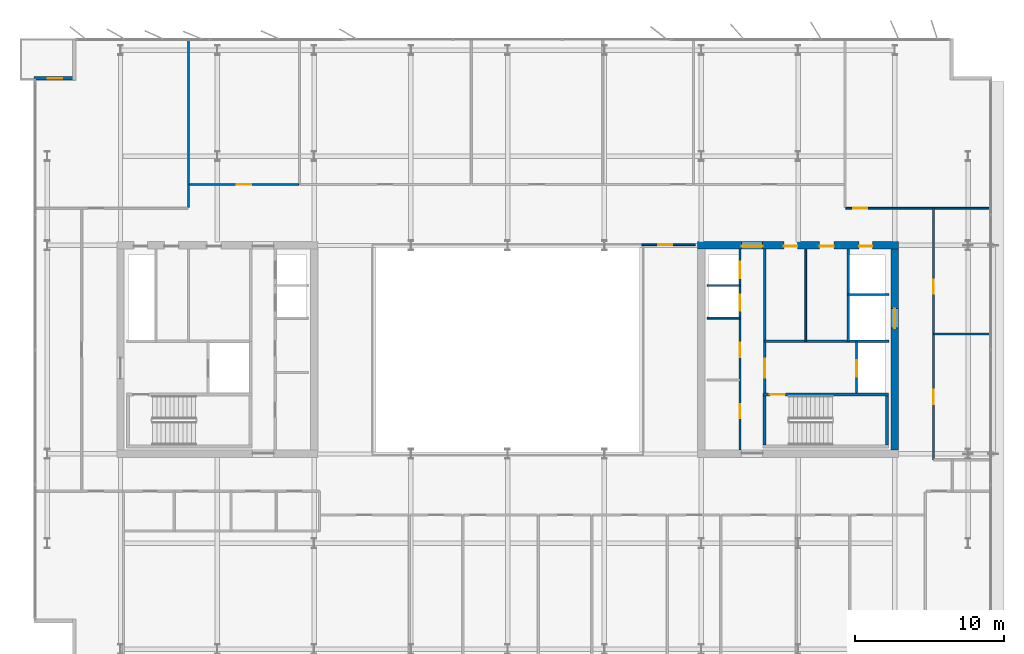
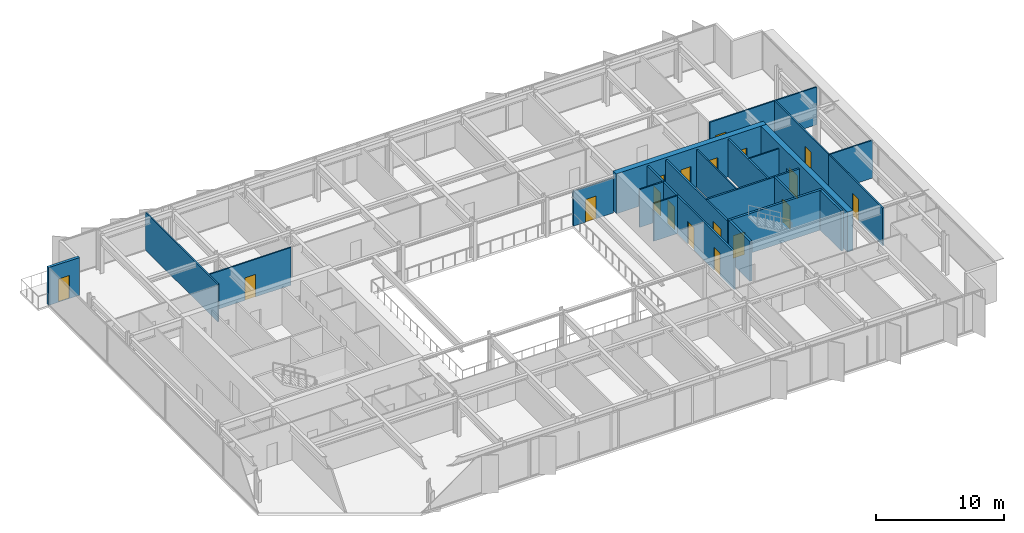
# One storey, part 15 of 20: 22 walls, 18 doors, 18 openings.
"""IFC4 building model written with IfcOpenShell, lengths in metres."""

from ifc_helpers import new_model, si_unit, direction, frame, frame_2d, origin, place, context, subcontext, project, spatial, rectangle, extrude, material, layer, layer_set, type_object, element, fill, save


model = new_model("IFC4")

# Units and contexts
model_context = context("Model", 3, precision=1e-05, world=origin(), true_north=direction((0.0, 1.0)))
body_context = subcontext(model_context, "Body", "Model", "MODEL_VIEW")
ifc_project = project(units=[si_unit("LENGTHUNIT", "METRE"), si_unit("AREAUNIT", "SQUARE_METRE"), si_unit("VOLUMEUNIT", "CUBIC_METRE"), si_unit("PLANEANGLEUNIT", "RADIAN"), si_unit("MASSUNIT", "GRAM", prefix="KILO")], contexts=[model_context])

# Site, building, storey
site_placement = place(None, origin())
site = spatial("IfcSite", under=ifc_project, at=site_placement, CompositionType="ELEMENT")
building_placement = place(site_placement, origin())
building = spatial("IfcBuilding", under=site, at=building_placement, Name="Putna Gate Headquarters", CompositionType="ELEMENT")
storey_placement = place(building_placement, frame((0.0, 0.0, 270.800048828125)))
storey = spatial("IfcBuildingStorey", under=building, at=storey_placement, Name="L68", CompositionType="ELEMENT", Elevation=270.800048828125)

# Wall, openings, doors
ifc_material_1 = material(Name="Concrete C50/60", Category="concrete")
ifc_layer_1 = layer(ifc_material_1, 0.5)
ifc_layer_set_1 = layer_set([ifc_layer_1], Name="Concrete C50/60")
wall_type_1 = type_object("IfcWallType", Name="WALL-CORE-500", PredefinedType="SHEAR", material=ifc_layer_set_1)
wall_1_placement = place(storey_placement, frame((51.75, 33.0, 0.0), z_axis=(0.0, 0.0, 1.0), x_axis=(1.0, 0.0, 0.0)))
wall_1 = element("IfcWall", 1, at=wall_1_placement, inside=storey, type_object=wall_type_1, Name="L68 EC Split Core Shear Wall N", PredefinedType="SHEAR", context=body_context, shape_type="SweptSolid", body=[
    extrude(rectangle(XDim=13.5, YDim=0.5, at=frame_2d((6.75, 0.0))), origin(), (0.0, 0.0, 1.0), 3.800048828125),
])
opening_1_placement = place(wall_1_placement, frame((2.969970703125, 0.0, 0.0)))
opening_1 = element("IfcOpeningElement", 2, at=opening_1_placement, cuts=wall_1, Name="Opening FDD-140", PredefinedType="OPENING", context=body_context, shape_type="SweptSolid", body=[
    extrude(rectangle(XDim=1.39990234375, YDim=2.199951171875, at=frame_2d((0.699951171875, 1.10009765625))), frame((0.0, 0.260009765625, 0.0), z_axis=(0.0, -1.0, 0.0), x_axis=(1.0, 0.0, 0.0)), (0.0, 0.0, 1.0), 0.52001953125),
])
opening_2_placement = place(wall_1_placement, frame((10.85009765625, 0.0, 0.0)))
opening_2 = element("IfcOpeningElement", 3, at=opening_2_placement, cuts=wall_1, Name="Opening RD-90", PredefinedType="OPENING", context=body_context, shape_type="SweptSolid", body=[
    extrude(rectangle(XDim=0.89990234375, YDim=2.14990234375, at=frame_2d((0.449951171875, 1.074951171875))), frame((0.0, 0.260009765625, 0.0), z_axis=(0.0, -1.0, 0.0), x_axis=(1.0, 0.0, 0.0)), (0.0, 0.0, 1.0), 0.52001953125),
])
opening_3_placement = place(wall_1_placement, frame((5.800048828125, 0.0, 0.0)))
opening_3 = element("IfcOpeningElement", 4, at=opening_3_placement, cuts=wall_1, Name="Opening IDS-90", PredefinedType="OPENING", context=body_context, shape_type="SweptSolid", body=[
    extrude(rectangle(XDim=0.89990234375, YDim=2.14990234375, at=frame_2d((0.449951171875, 1.074951171875))), frame((0.0, 0.260009765625, 0.0), z_axis=(0.0, -1.0, 0.0), x_axis=(1.0, 0.0, 0.0)), (0.0, 0.0, 1.0), 0.52001953125),
])
opening_4_placement = place(wall_1_placement, frame((8.199951171875, 0.0, 0.0)))
opening_4 = element("IfcOpeningElement", 5, at=opening_4_placement, cuts=wall_1, Name="Opening IDS-95", PredefinedType="OPENING", context=body_context, shape_type="SweptSolid", body=[
    extrude(rectangle(XDim=0.949951171875, YDim=2.14990234375, at=frame_2d((0.47509765625, 1.074951171875))), frame((0.0, 0.260009765625, 0.0), z_axis=(0.0, -1.0, 0.0), x_axis=(1.0, 0.0, 0.0)), (0.0, 0.0, 1.0), 0.52001953125),
])
ifc_material_2 = material(Name="Double steel fire door", Category="steel")
door_type_1 = type_object("IfcDoorType", Name="DOOR-FIRE-DBL-1400", OperationType="DOUBLE_DOOR_SINGLE_SWING", PredefinedType="DOOR", material=ifc_material_2)
door_1_placement = place(opening_1_placement, origin())
door_1 = element("IfcDoor", 6, at=door_1_placement, inside=storey, type_object=door_type_1, Name="L68 East Lift Lobby North Door", OperationType="DOUBLE_DOOR_SINGLE_SWING", OverallHeight=2.199951171875, OverallWidth=1.39990234375, PredefinedType="DOOR", context=body_context, shape_type="SweptSolid", body=[
    extrude(rectangle(XDim=1.39990234375, YDim=2.199951171875, at=frame_2d((0.699951171875, 1.10009765625))), frame((0.0, -0.02490234375, 0.0), z_axis=(0.0, -1.0, 0.0), x_axis=(1.0, 0.0, 0.0)), (0.0, 0.0, 1.0), 0.050048828125),
])
fill(opening_1, door_1)
ifc_material_3 = material(Name="Fire-rated utility door")
door_type_2 = type_object("IfcDoorType", Name="DOOR-INT-900", OperationType="NOTDEFINED", PredefinedType="DOOR", material=ifc_material_3)
door_2_placement = place(opening_3_placement, origin())
door_2 = element("IfcDoor", 7, at=door_2_placement, inside=storey, type_object=door_type_2, Name="L68 Telecoms Plant Door", OperationType="SINGLE_SWING_LEFT", OverallHeight=2.14990234375, OverallWidth=0.89990234375, PredefinedType="DOOR", context=body_context, shape_type="SweptSolid", body=[
    extrude(rectangle(XDim=0.89990234375, YDim=2.14990234375, at=frame_2d((0.449951171875, 1.074951171875))), frame((0.0, -0.02490234375, 0.0), z_axis=(0.0, -1.0, 0.0), x_axis=(1.0, 0.0, 0.0)), (0.0, 0.0, 1.0), 0.050048828125),
])
fill(opening_3, door_2)
ifc_material_4 = material(Name="Fire-rated service timber door", Category="wood")
door_type_3 = type_object("IfcDoorType", Name="DOOR-INT-950", OperationType="NOTDEFINED", PredefinedType="DOOR", material=ifc_material_4)
door_3_placement = place(opening_4_placement, origin())
door_3 = element("IfcDoor", 8, at=door_3_placement, inside=storey, type_object=door_type_3, Name="L68 Supplies Store Door", OperationType="SINGLE_SWING_RIGHT", OverallHeight=2.14990234375, OverallWidth=0.949951171875, PredefinedType="DOOR", context=body_context, shape_type="SweptSolid", body=[
    extrude(rectangle(XDim=0.949951171875, YDim=2.14990234375, at=frame_2d((0.47509765625, 1.074951171875))), frame((0.0, -0.02490234375, 0.0), z_axis=(0.0, -1.0, 0.0), x_axis=(1.0, 0.0, 0.0)), (0.0, 0.0, 1.0), 0.050048828125),
])
fill(opening_4, door_3)
ifc_material_5 = material(Name="Steel riser access fire door", Category="steel")
door_type_4 = type_object("IfcDoorType", Name="DOOR-RISER-900", OperationType="NOTDEFINED", PredefinedType="DOOR", material=ifc_material_5)
door_4_placement = place(opening_2_placement, origin())
door_4 = element("IfcDoor", 9, at=door_4_placement, inside=storey, type_object=door_type_4, Name="L68 East Riser Access Door", OperationType="SINGLE_SWING_LEFT", OverallHeight=2.14990234375, OverallWidth=0.89990234375, PredefinedType="DOOR", context=body_context, shape_type="SweptSolid", body=[
    extrude(rectangle(XDim=0.89990234375, YDim=2.14990234375, at=frame_2d((0.449951171875, 1.074951171875))), frame((0.0, -0.02490234375, 0.0), z_axis=(0.0, -1.0, 0.0), x_axis=(1.0, 0.0, 0.0)), (0.0, 0.0, 1.0), 0.050048828125),
])
fill(opening_2, door_4)

# Wall, opening, door
wall_2_placement = place(storey_placement, frame((65.0, 19.25, 0.0), z_axis=(0.0, 0.0, 1.0), x_axis=(0.0, 1.0, 0.0)))
wall_2 = element("IfcWall", 10, at=wall_2_placement, inside=storey, type_object=wall_type_1, Name="L68 EC Split Core Shear Wall E", PredefinedType="SHEAR", context=body_context, shape_type="SweptSolid", body=[
    extrude(rectangle(XDim=13.5, YDim=0.5, at=frame_2d((6.75, 0.0))), origin(), (0.0, 0.0, 1.0), 3.800048828125),
])
opening_5_placement = place(wall_2_placement, frame((8.199951171875, 0.0, 0.0)))
opening_5 = element("IfcOpeningElement", 11, at=opening_5_placement, cuts=wall_2, Name="Opening LD-2", PredefinedType="OPENING", context=body_context, shape_type="SweptSolid", body=[
    extrude(rectangle(XDim=1.300048828125, YDim=2.199951171875, at=frame_2d((0.64990234375, 1.10009765625))), frame((0.0, 0.260009765625, 0.0), z_axis=(0.0, -1.0, 0.0), x_axis=(1.0, 0.0, 0.0)), (0.0, 0.0, 1.0), 0.52001953125),
])
ifc_material_6 = material(Name="Heavy-duty goods lift sliding landing door")
door_type_5 = type_object("IfcDoorType", Name="DOOR-LIFT-1300", OperationType="DOUBLE_DOOR_SLIDING", PredefinedType="DOOR", material=ifc_material_6)
door_5_placement = place(opening_5_placement, origin())
door_5 = element("IfcDoor", 12, at=door_5_placement, inside=storey, type_object=door_type_5, Name="L68 Goods Lift Landing Door LD-15", OperationType="DOUBLE_DOOR_SLIDING", OverallHeight=2.199951171875, OverallWidth=1.300048828125, PredefinedType="DOOR", context=body_context, shape_type="SweptSolid", body=[
    extrude(rectangle(XDim=1.300048828125, YDim=2.199951171875, at=frame_2d((0.64990234375, 1.10009765625))), frame((0.0, 0.02490234375, 0.0), z_axis=(0.0, -1.0, 0.0), x_axis=(1.0, 0.0, 0.0)), (0.0, 0.0, 1.0), 0.050048828125),
])
fill(opening_5, door_5)

ifc_material_7 = material(Name="Precast concrete C40/50", Category="concrete")
ifc_layer_2 = layer(ifc_material_7, 0.239990234375)
ifc_layer_set_2 = layer_set([ifc_layer_2], Name="Precast concrete C40/50")
wall_type_2 = type_object("IfcWallType", Name="WALL-EXT-TERR-240", PredefinedType="STANDARD", material=ifc_layer_set_2)
wall_3_placement = place(storey_placement, frame((7.199951171875, 44.219970703125, 0.0), z_axis=(0.0, 0.0, 1.0), x_axis=(1.0, 0.0, 0.0)))
wall_3 = element("IfcWall", 13, at=wall_3_placement, inside=storey, type_object=wall_type_2, Name="L68 Corner Notch Return Wall NW-H", PredefinedType="STANDARD", context=body_context, shape_type="SweptSolid", body=[
    extrude(rectangle(XDim=2.800048828125, YDim=0.239990234375, at=frame_2d((1.39990234375, 0.0))), origin(), (0.0, 0.0, 1.0), 3.587890625),
])
opening_6_placement = place(wall_3_placement, frame((0.89990234375, 0.0, 0.0)))
opening_6 = element("IfcOpeningElement", 14, at=opening_6_placement, cuts=wall_3, Name="Opening TRD-1", PredefinedType="OPENING", context=body_context, shape_type="SweptSolid", body=[
    extrude(rectangle(XDim=1.0, YDim=2.199951171875, at=frame_2d((0.5, 1.10009765625))), frame((0.0, 0.1298828125, 0.0), z_axis=(0.0, -1.0, 0.0), x_axis=(1.0, 0.0, 0.0)), (0.0, 0.0, 1.0), 0.260009765625),
])
ifc_material_8 = material(Name="Thermally broken bronze glazed terrace door")
door_type_6 = type_object("IfcDoorType", Name="DOOR-TERR-EXT-1000", OperationType="NOTDEFINED", PredefinedType="DOOR", material=ifc_material_8)
door_6_placement = place(opening_6_placement, origin())
door_6 = element("IfcDoor", 15, at=door_6_placement, inside=storey, type_object=door_type_6, Name="L68 Spiral Sky Terrace Door NW", OperationType="SINGLE_SWING_RIGHT", OverallHeight=2.199951171875, OverallWidth=1.0, PredefinedType="DOOR", context=body_context, shape_type="SweptSolid", body=[
    extrude(rectangle(XDim=1.0, YDim=2.199951171875, at=frame_2d((0.5, 1.10009765625))), frame((0.0, 0.02490234375, 0.0), z_axis=(0.0, -1.0, 0.0), x_axis=(1.0, 0.0, 0.0)), (0.0, 0.0, 1.0), 0.050048828125),
])
fill(opening_6, door_6)

ifc_material_9 = material(Name="Acoustic gypsum board on metal stud")
ifc_layer_3 = layer(ifc_material_9, 0.1201171875)
ifc_layer_set_3 = layer_set([ifc_layer_3], Name="Acoustic gypsum board on metal stud")
wall_type_3 = type_object("IfcWallType", Name="WALL-PART-120", PredefinedType="PARTITIONING", material=ifc_layer_set_3)
wall_4_placement = place(storey_placement, frame((48.0, 33.0400390625, 0.0), z_axis=(0.0, 0.0, 1.0), x_axis=(1.0, 0.0, 0.0)))
wall_4 = element("IfcWall", 16, at=wall_4_placement, inside=storey, type_object=wall_type_3, Name="L68 Interior Wall PART-L68-ATR-E-N", PredefinedType="PARTITIONING", context=body_context, shape_type="SweptSolid", body=[
    extrude(rectangle(XDim=3.60009765625, YDim=0.1201171875, at=frame_2d((1.800048828125, 0.0))), origin(), (0.0, 0.0, 1.0), 3.327880859375),
])
opening_7_placement = place(wall_4_placement, frame((1.10009765625, 0.0, 0.0)))
opening_7 = element("IfcOpeningElement", 17, at=opening_7_placement, cuts=wall_4, Name="Opening ID-95", PredefinedType="OPENING", context=body_context, shape_type="SweptSolid", body=[
    extrude(rectangle(XDim=0.949951171875, YDim=2.14990234375, at=frame_2d((0.47509765625, 1.074951171875))), frame((0.0, 0.070068359375, 0.0), z_axis=(0.0, -1.0, 0.0), x_axis=(1.0, 0.0, 0.0)), (0.0, 0.0, 1.0), 0.14013671875),
])
ifc_material_10 = material(Name="Veneered acoustic timber door", Category="wood")
door_type_7 = type_object("IfcDoorType", Name="DOOR-OFF-950", OperationType="NOTDEFINED", PredefinedType="DOOR", material=ifc_material_10)
door_7_placement = place(opening_7_placement, origin())
door_7 = element("IfcDoor", 18, at=door_7_placement, inside=storey, type_object=door_type_7, Name="L68 East Sky Atrium Lounge Door", OperationType="SINGLE_SWING_LEFT", OverallHeight=2.14990234375, OverallWidth=0.949951171875, PredefinedType="DOOR", context=body_context, shape_type="SweptSolid", body=[
    extrude(rectangle(XDim=0.949951171875, YDim=2.14990234375, at=frame_2d((0.47509765625, 1.074951171875))), frame((0.0, 0.02490234375, 0.0), z_axis=(0.0, -1.0, 0.0), x_axis=(1.0, 0.0, 0.0)), (0.0, 0.0, 1.0), 0.050048828125),
])
fill(opening_7, door_7)

# Walls
wall_5_placement = place(storey_placement, frame((17.561279296875, 35.56005859375, 0.0), z_axis=(0.0, 0.0, 1.0), x_axis=(0.0, 1.0, 0.0)))
element("IfcWall", 19, at=wall_5_placement, inside=storey, type_object=wall_type_3, Name="L68 Interior Wall PART-L68-NB-DIV-01", PredefinedType="PARTITIONING", context=body_context, shape_type="SweptSolid", body=[
    extrude(rectangle(XDim=11.31982421875, YDim=0.1201171875, at=frame_2d((5.659912109375, 0.0))), origin(), (0.0, 0.0, 1.0), 3.587890625),
])
wall_6_placement = place(storey_placement, frame((67.60009765625, 27.050048828125, 0.0), z_axis=(0.0, 0.0, 1.0), x_axis=(1.0, 0.0, 0.0)))
element("IfcWall", 20, at=wall_6_placement, inside=storey, type_object=wall_type_3, Name="L68 Interior Wall PART-L68-EW-DIV-1", PredefinedType="PARTITIONING", context=body_context, shape_type="SweptSolid", body=[
    extrude(rectangle(XDim=3.892578125, YDim=0.1201171875, at=frame_2d((1.9462890625, 0.0))), origin(), (0.0, 0.0, 1.0), 3.587890625),
])
ifc_material_11 = material(Name="Fire-rated shaftwall gypsum board on metal stud")
ifc_layer_4 = layer(ifc_material_11, 0.1201171875)
ifc_layer_set_4 = layer_set([ifc_layer_4], Name="Fire-rated shaftwall gypsum board on metal stud")
wall_type_4 = type_object("IfcWallType", Name="WALL-PART-120-EI120", PredefinedType="PARTITIONING", material=ifc_layer_set_4)
wall_7_placement = place(storey_placement, frame((52.39990234375, 30.31005859375, 0.0), z_axis=(0.0, 0.0, 1.0), x_axis=(1.0, 0.0, 0.0)))
element("IfcWall", 21, at=wall_7_placement, inside=storey, type_object=wall_type_4, Name="L68 Interior Wall CWINT-L68-EC-LF11-DIV", PredefinedType="PARTITIONING", context=body_context, shape_type="SweptSolid", body=[
    extrude(rectangle(XDim=2.2001953125, YDim=0.1201171875, at=frame_2d((1.10009765625, 0.0))), origin(), (0.0, 0.0, 1.0), 3.587890625),
])
wall_8_placement = place(storey_placement, frame((61.8701171875, 29.699951171875, 0.0), z_axis=(0.0, 0.0, 1.0), x_axis=(1.0, 0.0, 0.0)))
element("IfcWall", 22, at=wall_8_placement, inside=storey, type_object=wall_type_4, Name="L68 Interior Wall CWINT-L68-EC-LF15-N", PredefinedType="PARTITIONING", context=body_context, shape_type="SweptSolid", body=[
    extrude(rectangle(XDim=2.72998046875, YDim=0.1201171875, at=frame_2d((1.364990234375, 0.0))), origin(), (0.0, 0.0, 1.0), 3.587890625),
])
ifc_material_12 = material(Name="Fire-rated gypsum board on metal stud")
ifc_layer_5 = layer(ifc_material_12, 0.1201171875)
ifc_layer_set_5 = layer_set([ifc_layer_5], Name="Fire-rated gypsum board on metal stud")
wall_type_5 = type_object("IfcWallType", Name="WALL-PART-120-RATED", PredefinedType="PARTITIONING", material=ifc_layer_set_5)
wall_9_placement = place(storey_placement, frame((52.39990234375, 28.1201171875, 0.0), z_axis=(0.0, 0.0, 1.0), x_axis=(1.0, 0.0, 0.0)))
element("IfcWall", 23, at=wall_9_placement, inside=storey, type_object=wall_type_5, Name="L68 Interior Wall CWINT-L68-EC-LF08-DIV", PredefinedType="PARTITIONING", context=body_context, shape_type="SweptSolid", body=[
    extrude(rectangle(XDim=2.2001953125, YDim=0.1201171875, at=frame_2d((1.10009765625, 0.0))), origin(), (0.0, 0.0, 1.0), 3.587890625),
])
wall_10_placement = place(storey_placement, frame((59.02001953125, 26.56005859375, 0.0), z_axis=(0.0, 0.0, 1.0), x_axis=(0.0, 1.0, 0.0)))
element("IfcWall", 24, at=wall_10_placement, inside=storey, type_object=wall_type_5, Name="L68 Interior Wall CWINT-L68-EC-K1-DIV", PredefinedType="PARTITIONING", context=body_context, shape_type="SweptSolid", body=[
    extrude(rectangle(XDim=6.18994140625, YDim=0.1201171875, at=frame_2d((3.094970703125, 0.0))), origin(), (0.0, 0.0, 1.0), 3.587890625),
])

# Wall, opening, door
wall_11_placement = place(storey_placement, frame((17.621337890625, 37.10009765625, 0.0), z_axis=(0.0, 0.0, 1.0), x_axis=(1.0, 0.0, 0.0)))
wall_11 = element("IfcWall", 25, at=wall_11_placement, inside=storey, type_object=wall_type_5, Name="L68 Interior Wall PART-L68-NB-CW-02", PredefinedType="PARTITIONING", context=body_context, shape_type="SweptSolid", body=[
    extrude(rectangle(XDim=7.3369140625, YDim=0.1201171875, at=frame_2d((3.66845703125, 0.0))), origin(), (0.0, 0.0, 1.0), 3.587890625),
])
opening_8_placement = place(wall_11_placement, frame((3.193359375, 0.0, 0.0)))
opening_8 = element("IfcOpeningElement", 26, at=opening_8_placement, cuts=wall_11, Name="Opening FD-95", PredefinedType="OPENING", context=body_context, shape_type="SweptSolid", body=[
    extrude(rectangle(XDim=0.949951171875, YDim=2.14990234375, at=frame_2d((0.47509765625, 1.074951171875))), frame((0.0, 0.070068359375, 0.0), z_axis=(0.0, -1.0, 0.0), x_axis=(1.0, 0.0, 0.0)), (0.0, 0.0, 1.0), 0.14013671875),
])
ifc_material_13 = material(Name="Acoustic timber fire door", Category="wood")
door_type_8 = type_object("IfcDoorType", Name="DOOR-FIRE-950", OperationType="NOTDEFINED", PredefinedType="DOOR", material=ifc_material_13)
door_8_placement = place(opening_8_placement, origin())
door_8 = element("IfcDoor", 27, at=door_8_placement, inside=storey, type_object=door_type_8, Name="L68 Quiet Wellness Focus Studio 3 Door", OperationType="SINGLE_SWING_LEFT", OverallHeight=2.14990234375, OverallWidth=0.949951171875, PredefinedType="DOOR", context=body_context, shape_type="SweptSolid", body=[
    extrude(rectangle(XDim=0.949951171875, YDim=2.14990234375, at=frame_2d((0.47509765625, 1.074951171875))), frame((0.0, 0.02490234375, 0.0), z_axis=(0.0, -1.0, 0.0), x_axis=(1.0, 0.0, 0.0)), (0.0, 0.0, 1.0), 0.050048828125),
])
fill(opening_8, door_8)

wall_12_placement = place(storey_placement, frame((61.716796875, 35.5, 0.0), z_axis=(0.0, 0.0, 1.0), x_axis=(1.0, 0.0, 0.0)))
wall_12 = element("IfcWall", 28, at=wall_12_placement, inside=storey, type_object=wall_type_5, Name="L68 Interior Wall PART-L68-NB-CW-07", PredefinedType="PARTITIONING", context=body_context, shape_type="SweptSolid", body=[
    extrude(rectangle(XDim=9.615966796875, YDim=0.1201171875, at=frame_2d((4.80810546875, 0.0))), origin(), (0.0, 0.0, 1.0), 3.587890625),
])
opening_9_placement = place(wall_12_placement, frame((0.47998046875, 0.0, 0.0)))
opening_9 = element("IfcOpeningElement", 29, at=opening_9_placement, cuts=wall_12, Name="Opening FD-95", PredefinedType="OPENING", context=body_context, shape_type="SweptSolid", body=[
    extrude(rectangle(XDim=0.949951171875, YDim=2.14990234375, at=frame_2d((0.47509765625, 1.074951171875))), frame((0.0, 0.070068359375, 0.0), z_axis=(0.0, -1.0, 0.0), x_axis=(1.0, 0.0, 0.0)), (0.0, 0.0, 1.0), 0.14013671875),
])
door_9_placement = place(opening_9_placement, origin())
door_9 = element("IfcDoor", 30, at=door_9_placement, inside=storey, type_object=door_type_8, Name="L68 Collaborative Breakout Lounge 3 Door", OperationType="SINGLE_SWING_RIGHT", OverallHeight=2.14990234375, OverallWidth=0.949951171875, PredefinedType="DOOR", context=body_context, shape_type="SweptSolid", body=[
    extrude(rectangle(XDim=0.949951171875, YDim=2.14990234375, at=frame_2d((0.47509765625, 1.074951171875))), frame((0.0, 0.02490234375, 0.0), z_axis=(0.0, -1.0, 0.0), x_axis=(1.0, 0.0, 0.0)), (0.0, 0.0, 1.0), 0.050048828125),
])
fill(opening_9, door_9)

wall_13_placement = place(storey_placement, frame((67.60009765625, 18.60009765625, 0.0), z_axis=(0.0, 0.0, 1.0), x_axis=(0.0, 1.0, 0.0)))
wall_13 = element("IfcWall", 31, at=wall_13_placement, inside=storey, type_object=wall_type_5, Name="L68 Interior Wall PART-L68-EW-CW-1", PredefinedType="PARTITIONING", context=body_context, shape_type="SweptSolid", body=[
    extrude(rectangle(XDim=8.449951171875, YDim=0.1201171875, at=frame_2d((4.22509765625, 0.0))), origin(), (0.0, 0.0, 1.0), 3.587890625),
])
opening_10_placement = place(wall_13_placement, frame((3.75, 0.0, 0.0)))
opening_10 = element("IfcOpeningElement", 32, at=opening_10_placement, cuts=wall_13, Name="Opening FD-95", PredefinedType="OPENING", context=body_context, shape_type="SweptSolid", body=[
    extrude(rectangle(XDim=0.949951171875, YDim=2.14990234375, at=frame_2d((0.47509765625, 1.074951171875))), frame((0.0, 0.070068359375, 0.0), z_axis=(0.0, -1.0, 0.0), x_axis=(1.0, 0.0, 0.0)), (0.0, 0.0, 1.0), 0.14013671875),
])
door_10_placement = place(opening_10_placement, origin())
door_10 = element("IfcDoor", 33, at=door_10_placement, inside=storey, type_object=door_type_8, Name="L68 East Advisory Office 1 Door", OperationType="SINGLE_SWING_LEFT", OverallHeight=2.14990234375, OverallWidth=0.949951171875, PredefinedType="DOOR", context=body_context, shape_type="SweptSolid", body=[
    extrude(rectangle(XDim=0.949951171875, YDim=2.14990234375, at=frame_2d((0.47509765625, 1.074951171875))), frame((0.0, 0.02490234375, 0.0), z_axis=(0.0, -1.0, 0.0), x_axis=(1.0, 0.0, 0.0)), (0.0, 0.0, 1.0), 0.050048828125),
])
fill(opening_10, door_10)

wall_14_placement = place(storey_placement, frame((67.60009765625, 27.050048828125, 0.0), z_axis=(0.0, 0.0, 1.0), x_axis=(0.0, 1.0, 0.0)))
wall_14 = element("IfcWall", 34, at=wall_14_placement, inside=storey, type_object=wall_type_5, Name="L68 Interior Wall PART-L68-EW-CW-2", PredefinedType="PARTITIONING", context=body_context, shape_type="SweptSolid", body=[
    extrude(rectangle(XDim=8.449951171875, YDim=0.1201171875, at=frame_2d((4.22509765625, 0.0))), origin(), (0.0, 0.0, 1.0), 3.587890625),
])
opening_11_placement = place(wall_14_placement, frame((2.699951171875, 0.0, 0.0)))
opening_11 = element("IfcOpeningElement", 35, at=opening_11_placement, cuts=wall_14, Name="Opening FD-95", PredefinedType="OPENING", context=body_context, shape_type="SweptSolid", body=[
    extrude(rectangle(XDim=0.949951171875, YDim=2.14990234375, at=frame_2d((0.47509765625, 1.074951171875))), frame((0.0, 0.070068359375, 0.0), z_axis=(0.0, -1.0, 0.0), x_axis=(1.0, 0.0, 0.0)), (0.0, 0.0, 1.0), 0.14013671875),
])
door_11_placement = place(opening_11_placement, origin())
door_11 = element("IfcDoor", 36, at=door_11_placement, inside=storey, type_object=door_type_8, Name="L68 East Advisory Office 2 Door", OperationType="SINGLE_SWING_RIGHT", OverallHeight=2.14990234375, OverallWidth=0.949951171875, PredefinedType="DOOR", context=body_context, shape_type="SweptSolid", body=[
    extrude(rectangle(XDim=0.949951171875, YDim=2.14990234375, at=frame_2d((0.47509765625, 1.074951171875))), frame((0.0, 0.02490234375, 0.0), z_axis=(0.0, -1.0, 0.0), x_axis=(1.0, 0.0, 0.0)), (0.0, 0.0, 1.0), 0.050048828125),
])
fill(opening_11, door_11)

# Wall, openings, doors
ifc_material_14 = material(Name="Concrete C40/50", Category="concrete")
ifc_layer_6 = layer(ifc_material_14, 0.159912109375)
ifc_layer_set_6 = layer_set([ifc_layer_6], Name="Concrete C40/50")
wall_type_6 = type_object("IfcWallType", Name="WALL-SHAFT-160", PredefinedType="STANDARD", material=ifc_layer_set_6)
wall_15_placement = place(storey_placement, frame((54.60009765625, 19.25, 0.0), z_axis=(0.0, 0.0, 1.0), x_axis=(0.0, 1.0, 0.0)))
wall_15 = element("IfcWall", 37, at=wall_15_placement, inside=storey, type_object=wall_type_6, Name="L68 Interior Wall CWINT-L68-EC-PL-WALL", PredefinedType="STANDARD", context=body_context, shape_type="SweptSolid", body=[
    extrude(rectangle(XDim=13.5, YDim=0.159912109375, at=frame_2d((6.75, 0.0))), origin(), (0.0, 0.0, 1.0), 3.587890625),
])
opening_12_placement = place(wall_15_placement, frame((2.14990234375, 0.0, 0.0)))
opening_12 = element("IfcOpeningElement", 38, at=opening_12_placement, cuts=wall_15, Name="Opening IDS-95", PredefinedType="OPENING", context=body_context, shape_type="SweptSolid", body=[
    extrude(rectangle(XDim=0.949951171875, YDim=2.14990234375, at=frame_2d((0.47509765625, 1.074951171875))), frame((0.0, 0.08984375, 0.0), z_axis=(0.0, -1.0, 0.0), x_axis=(1.0, 0.0, 0.0)), (0.0, 0.0, 1.0), 0.179931640625),
])
opening_13_placement = place(wall_15_placement, frame((6.25, 0.0, 0.0)))
opening_13 = element("IfcOpeningElement", 39, at=opening_13_placement, cuts=wall_15, Name="Opening IDS-95", PredefinedType="OPENING", context=body_context, shape_type="SweptSolid", body=[
    extrude(rectangle(XDim=0.949951171875, YDim=2.14990234375, at=frame_2d((0.47509765625, 1.074951171875))), frame((0.0, 0.08984375, 0.0), z_axis=(0.0, -1.0, 0.0), x_axis=(1.0, 0.0, 0.0)), (0.0, 0.0, 1.0), 0.179931640625),
])
opening_14_placement = place(wall_15_placement, frame((9.35009765625, 0.0, 0.0)))
opening_14 = element("IfcOpeningElement", 40, at=opening_14_placement, cuts=wall_15, Name="Opening LD-1", PredefinedType="OPENING", context=body_context, shape_type="SweptSolid", body=[
    extrude(rectangle(XDim=1.10009765625, YDim=2.199951171875, at=frame_2d((0.550048828125, 1.10009765625))), frame((0.0, 0.08984375, 0.0), z_axis=(0.0, -1.0, 0.0), x_axis=(1.0, 0.0, 0.0)), (0.0, 0.0, 1.0), 0.179931640625),
])
opening_15_placement = place(wall_15_placement, frame((11.550048828125, 0.0, 0.0)))
opening_15 = element("IfcOpeningElement", 41, at=opening_15_placement, cuts=wall_15, Name="Opening LD-1", PredefinedType="OPENING", context=body_context, shape_type="SweptSolid", body=[
    extrude(rectangle(XDim=1.10009765625, YDim=2.199951171875, at=frame_2d((0.550048828125, 1.10009765625))), frame((0.0, 0.08984375, 0.0), z_axis=(0.0, -1.0, 0.0), x_axis=(1.0, 0.0, 0.0)), (0.0, 0.0, 1.0), 0.179931640625),
])
door_12_placement = place(opening_12_placement, origin())
door_12 = element("IfcDoor", 42, at=door_12_placement, inside=storey, type_object=door_type_3, Name="L68 Executive Archive Door", OperationType="SINGLE_SWING_RIGHT", OverallHeight=2.14990234375, OverallWidth=0.949951171875, PredefinedType="DOOR", context=body_context, shape_type="SweptSolid", body=[
    extrude(rectangle(XDim=0.949951171875, YDim=2.14990234375, at=frame_2d((0.47509765625, 1.074951171875))), frame((0.0, 0.02490234375, 0.0), z_axis=(0.0, -1.0, 0.0), x_axis=(1.0, 0.0, 0.0)), (0.0, 0.0, 1.0), 0.050048828125),
])
fill(opening_12, door_12)
door_13_placement = place(opening_13_placement, origin())
door_13 = element("IfcDoor", 43, at=door_13_placement, inside=storey, type_object=door_type_3, Name="L68 Comms Distribution Door", OperationType="SINGLE_SWING_LEFT", OverallHeight=2.14990234375, OverallWidth=0.949951171875, PredefinedType="DOOR", context=body_context, shape_type="SweptSolid", body=[
    extrude(rectangle(XDim=0.949951171875, YDim=2.14990234375, at=frame_2d((0.47509765625, 1.074951171875))), frame((0.0, 0.02490234375, 0.0), z_axis=(0.0, -1.0, 0.0), x_axis=(1.0, 0.0, 0.0)), (0.0, 0.0, 1.0), 0.050048828125),
])
fill(opening_13, door_13)
ifc_material_15 = material(Name="Brushed bronze stainless lift landing door")
door_type_9 = type_object("IfcDoorType", Name="DOOR-LIFT-1100", OperationType="DOUBLE_DOOR_SLIDING", PredefinedType="DOOR", material=ifc_material_15)
door_14_placement = place(opening_14_placement, origin())
door_14 = element("IfcDoor", 44, at=door_14_placement, inside=storey, type_object=door_type_9, Name="L68 Lift Landing Door LD-11", OperationType="DOUBLE_DOOR_SLIDING", OverallHeight=2.199951171875, OverallWidth=1.10009765625, PredefinedType="DOOR", context=body_context, shape_type="SweptSolid", body=[
    extrude(rectangle(XDim=1.10009765625, YDim=2.199951171875, at=frame_2d((0.550048828125, 1.10009765625))), frame((0.0, 0.02490234375, 0.0), z_axis=(0.0, -1.0, 0.0), x_axis=(1.0, 0.0, 0.0)), (0.0, 0.0, 1.0), 0.050048828125),
])
fill(opening_14, door_14)
door_15_placement = place(opening_15_placement, origin())
door_15 = element("IfcDoor", 45, at=door_15_placement, inside=storey, type_object=door_type_9, Name="L68 Lift Landing Door LD-12", OperationType="DOUBLE_DOOR_SLIDING", OverallHeight=2.199951171875, OverallWidth=1.10009765625, PredefinedType="DOOR", context=body_context, shape_type="SweptSolid", body=[
    extrude(rectangle(XDim=1.10009765625, YDim=2.199951171875, at=frame_2d((0.550048828125, 1.10009765625))), frame((0.0, 0.02490234375, 0.0), z_axis=(0.0, -1.0, 0.0), x_axis=(1.0, 0.0, 0.0)), (0.0, 0.0, 1.0), 0.050048828125),
])
fill(opening_15, door_15)

# Wall, opening, door
wall_16_placement = place(storey_placement, frame((56.260009765625, 23.090087890625, 0.0), z_axis=(0.0, 0.0, 1.0), x_axis=(0.0, 1.0, 0.0)))
wall_16 = element("IfcWall", 46, at=wall_16_placement, inside=storey, type_object=wall_type_6, Name="L68 Interior Wall CWINT-L68-EC-LOB-E", PredefinedType="STANDARD", context=body_context, shape_type="SweptSolid", body=[
    extrude(rectangle(XDim=9.659912109375, YDim=0.159912109375, at=frame_2d((4.830078125, 0.0))), origin(), (0.0, 0.0, 1.0), 3.587890625),
])
opening_16_placement = place(wall_16_placement, frame((1.010009765625, 0.0, 0.0)))
opening_16 = element("IfcOpeningElement", 47, at=opening_16_placement, cuts=wall_16, Name="Opening FDD-130", PredefinedType="OPENING", context=body_context, shape_type="SweptSolid", body=[
    extrude(rectangle(XDim=1.300048828125, YDim=2.199951171875, at=frame_2d((0.64990234375, 1.10009765625))), frame((0.0, 0.08984375, 0.0), z_axis=(0.0, -1.0, 0.0), x_axis=(1.0, 0.0, 0.0)), (0.0, 0.0, 1.0), 0.179931640625),
])
ifc_material_16 = material(Name="Double steel lobby fire door", Category="steel")
door_type_10 = type_object("IfcDoorType", Name="DOOR-FIRE-DBL-1300", OperationType="DOUBLE_DOOR_SINGLE_SWING", PredefinedType="DOOR", material=ifc_material_16)
door_16_placement = place(opening_16_placement, origin())
door_16 = element("IfcDoor", 48, at=door_16_placement, inside=storey, type_object=door_type_10, Name="L68 East Firefighting Lobby Door", OperationType="DOUBLE_DOOR_SINGLE_SWING", OverallHeight=2.199951171875, OverallWidth=1.300048828125, PredefinedType="DOOR", context=body_context, shape_type="SweptSolid", body=[
    extrude(rectangle(XDim=1.300048828125, YDim=2.199951171875, at=frame_2d((0.64990234375, 1.10009765625))), frame((0.0, 0.02490234375, 0.0), z_axis=(0.0, -1.0, 0.0), x_axis=(1.0, 0.0, 0.0)), (0.0, 0.0, 1.0), 0.050048828125),
])
fill(opening_16, door_16)

wall_17_placement = place(storey_placement, frame((62.429931640625, 23.090087890625, 0.0), z_axis=(0.0, 0.0, 1.0), x_axis=(0.0, 1.0, 0.0)))
wall_17 = element("IfcWall", 49, at=wall_17_placement, inside=storey, type_object=wall_type_6, Name="L68 Interior Wall CWINT-L68-EC-LF14-W", PredefinedType="STANDARD", context=body_context, shape_type="SweptSolid", body=[
    extrude(rectangle(XDim=3.469970703125, YDim=0.159912109375, at=frame_2d((1.73486328125, 0.0))), origin(), (0.0, 0.0, 1.0), 3.587890625),
])
opening_17_placement = place(wall_17_placement, frame((1.10009765625, 0.0, 0.0)))
opening_17 = element("IfcOpeningElement", 50, at=opening_17_placement, cuts=wall_17, Name="Opening LD-1", PredefinedType="OPENING", context=body_context, shape_type="SweptSolid", body=[
    extrude(rectangle(XDim=1.10009765625, YDim=2.199951171875, at=frame_2d((0.550048828125, 1.10009765625))), frame((0.0, 0.08984375, 0.0), z_axis=(0.0, -1.0, 0.0), x_axis=(1.0, 0.0, 0.0)), (0.0, 0.0, 1.0), 0.179931640625),
])
door_17_placement = place(opening_17_placement, origin())
door_17 = element("IfcDoor", 51, at=door_17_placement, inside=storey, type_object=door_type_9, Name="L68 Lift Landing Door LD-14", OperationType="DOUBLE_DOOR_SLIDING", OverallHeight=2.199951171875, OverallWidth=1.10009765625, PredefinedType="DOOR", context=body_context, shape_type="SweptSolid", body=[
    extrude(rectangle(XDim=1.10009765625, YDim=2.199951171875, at=frame_2d((0.550048828125, 1.10009765625))), frame((0.0, 0.02490234375, 0.0), z_axis=(0.0, -1.0, 0.0), x_axis=(1.0, 0.0, 0.0)), (0.0, 0.0, 1.0), 0.050048828125),
])
fill(opening_17, door_17)

# Walls
wall_18_placement = place(storey_placement, frame((56.260009765625, 26.56005859375, 0.0), z_axis=(0.0, 0.0, 1.0), x_axis=(1.0, 0.0, 0.0)))
element("IfcWall", 52, at=wall_18_placement, inside=storey, type_object=wall_type_6, Name="L68 Interior Wall CWINT-L68-EC-FFL-N", PredefinedType="STANDARD", context=body_context, shape_type="SweptSolid", body=[
    extrude(rectangle(XDim=8.340087890625, YDim=0.159912109375, at=frame_2d((4.169921875, 0.0))), origin(), (0.0, 0.0, 1.0), 3.587890625),
])
wall_19_placement = place(storey_placement, frame((61.8701171875, 26.56005859375, 0.0), z_axis=(0.0, 0.0, 1.0), x_axis=(0.0, 1.0, 0.0)))
element("IfcWall", 53, at=wall_19_placement, inside=storey, type_object=wall_type_6, Name="L68 Interior Wall CWINT-L68-EC-LF15-W", PredefinedType="STANDARD", context=body_context, shape_type="SweptSolid", body=[
    extrude(rectangle(XDim=6.18994140625, YDim=0.159912109375, at=frame_2d((3.094970703125, 0.0))), origin(), (0.0, 0.0, 1.0), 3.587890625),
])

# Wall, opening, door
ifc_layer_7 = layer(ifc_material_14, 0.199951171875)
ifc_layer_set_7 = layer_set([ifc_layer_7], Name="Concrete C40/50")
wall_type_7 = type_object("IfcWallType", Name="WALL-SHAFT-RC200", PredefinedType="SHEAR", material=ifc_layer_set_7)
wall_20_placement = place(storey_placement, frame((56.159912109375, 22.989990234375, 0.0), z_axis=(0.0, 0.0, 1.0), x_axis=(1.0, 0.0, 0.0)))
wall_20 = element("IfcWall", 54, at=wall_20_placement, inside=storey, type_object=wall_type_7, Name="L68 Stair ST2 Structural Shaft Wall N", PredefinedType="SHEAR", context=body_context, shape_type="SweptSolid", body=[
    extrude(rectangle(XDim=8.43017578125, YDim=0.199951171875, at=frame_2d((4.215087890625, 0.0))), origin(), (0.0, 0.0, 1.0), 3.800048828125),
])
opening_18_placement = place(wall_20_placement, frame((0.449951171875, 0.0, 0.0)))
opening_18 = element("IfcOpeningElement", 55, at=opening_18_placement, cuts=wall_20, Name="Opening FD-100", PredefinedType="OPENING", context=body_context, shape_type="SweptSolid", body=[
    extrude(rectangle(XDim=1.0, YDim=2.14990234375, at=frame_2d((0.5, 1.074951171875))), frame((0.0, 0.10986328125, 0.0), z_axis=(0.0, -1.0, 0.0), x_axis=(1.0, 0.0, 0.0)), (0.0, 0.0, 1.0), 0.219970703125),
])
ifc_material_17 = material(Name="Powder-coated steel fire door", Category="steel")
door_type_11 = type_object("IfcDoorType", Name="DOOR-FIRE-1000", OperationType="NOTDEFINED", PredefinedType="DOOR", material=ifc_material_17)
door_18_placement = place(opening_18_placement, origin())
door_18 = element("IfcDoor", 56, at=door_18_placement, inside=storey, type_object=door_type_11, Name="L68 Stair ST2 Fire Door", OperationType="SINGLE_SWING_RIGHT", OverallHeight=2.14990234375, OverallWidth=1.0, PredefinedType="DOOR", context=body_context, shape_type="SweptSolid", body=[
    extrude(rectangle(XDim=1.0, YDim=2.14990234375, at=frame_2d((0.5, 1.074951171875))), frame((0.0, 0.02490234375, 0.0), z_axis=(0.0, -1.0, 0.0), x_axis=(1.0, 0.0, 0.0)), (0.0, 0.0, 1.0), 0.050048828125),
])
fill(opening_18, door_18)

# Walls
for number, where, z_axis, x_axis, name in (
    (57, (56.260009765625, 19.610107421875, 0.0), (0.0, 0.0, 1.0), (0.0, 1.0, 0.0), "L68 Stair ST2 Structural Shaft Wall W"),
    (58, (64.489990234375, 19.610107421875, 0.0), (0.0, 0.0, 1.0), (0.0, 1.0, 0.0), "L68 Stair ST2 Structural Shaft Wall E"),
):
    element("IfcWall", number, at=place(storey_placement, frame(where, z_axis=z_axis, x_axis=x_axis)), inside=storey, type_object=wall_type_7, Name=name, PredefinedType="SHEAR", context=body_context, shape_type="SweptSolid", body=[
        extrude(rectangle(XDim=3.27978515625, YDim=0.199951171875, at=frame_2d((1.639892578125, 0.0))), origin(), (0.0, 0.0, 1.0), 3.800048828125),
    ])

save(model, "model.ifc")
